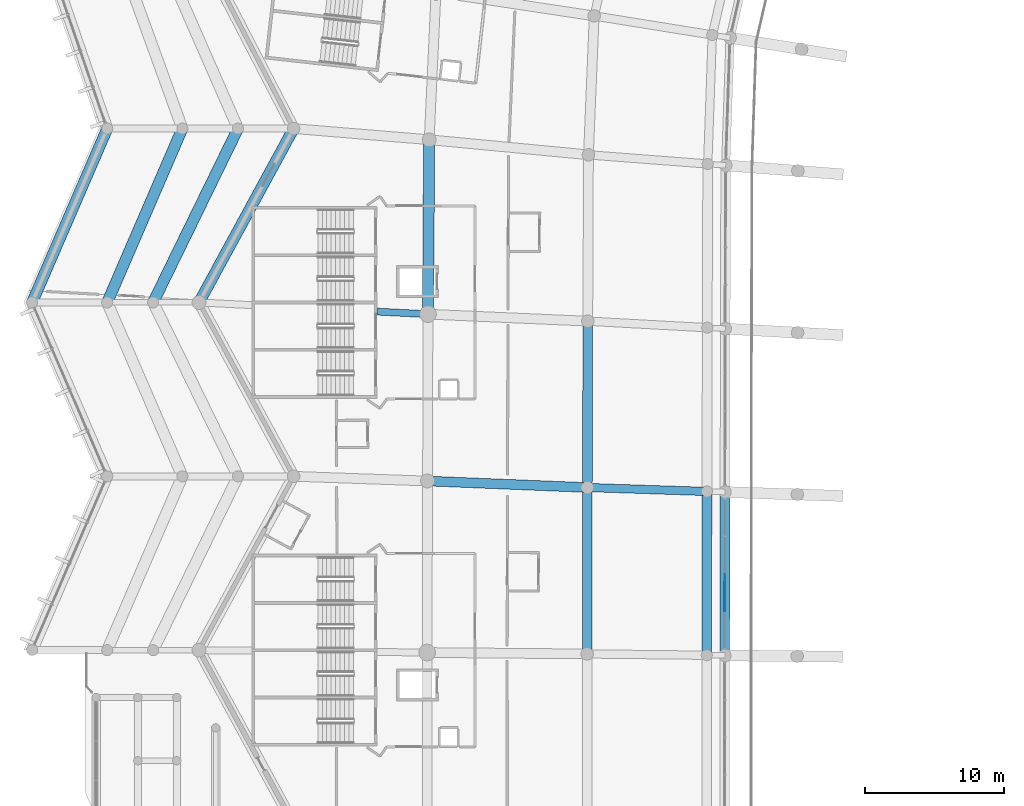
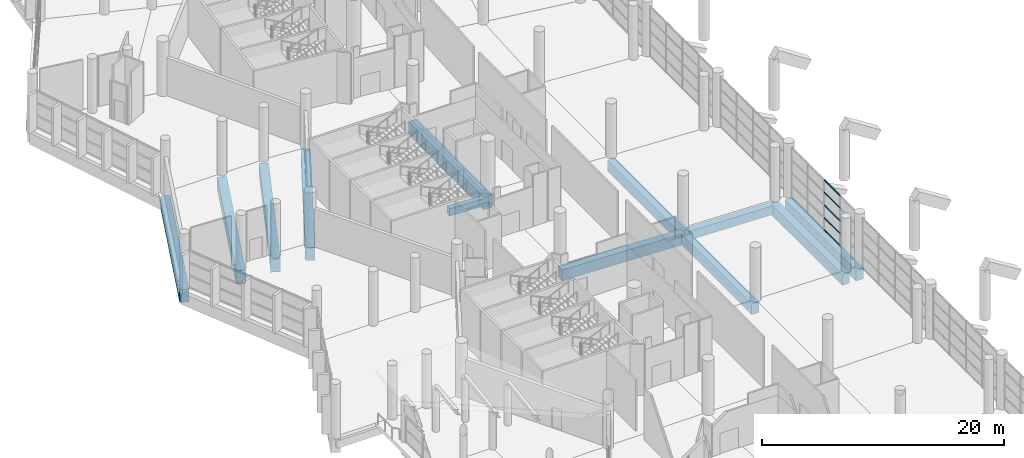
# One storey, part 68 of 271: 12 beams, 5 members, 1 element without a shape of its own.
"""IFC4 building model written with IfcOpenShell, lengths in metres."""

from ifc_helpers import new_model, si_unit, direction, frame, origin, origin_2d, place, context, subcontext, project, spatial, rectangle, extrude, material, layer, layer_set, material_profile, profile_set, type_object, element, aggregate, save


model = new_model("IFC4")

# Units and contexts
model_context = context("Model", 3, precision=1e-05, world=origin(), true_north=direction((0.0, 1.0)))
body_context = subcontext(model_context, "Body", "Model", "MODEL_VIEW")
ifc_project = project(units=[si_unit("LENGTHUNIT", "METRE"), si_unit("AREAUNIT", "SQUARE_METRE"), si_unit("VOLUMEUNIT", "CUBIC_METRE"), si_unit("PLANEANGLEUNIT", "RADIAN"), si_unit("MASSUNIT", "GRAM", prefix="KILO")], contexts=[model_context])

# Site, building, storey
site_placement = place(None, origin())
site = spatial("IfcSite", under=ifc_project, at=site_placement, CompositionType="ELEMENT")
building_placement = place(site_placement, origin())
building = spatial("IfcBuilding", under=site, at=building_placement, Name="Meseta Stadium", CompositionType="ELEMENT")
storey_placement = place(building_placement, frame((0.0, 0.0, 6.5)))
storey = spatial("IfcBuildingStorey", under=building, at=storey_placement, Name="L01", CompositionType="ELEMENT", Elevation=6.5)

# Curtain wall, members
ifc_material_1 = material(Name="Aluminium", Category="aluminium")
ifc_layer = layer(ifc_material_1, 0.199951171875)
ifc_layer_set = layer_set([ifc_layer], Name="Club glazing curtain wall")
curtain_wall_type = type_object("IfcCurtainWallType", Name="Club glazing curtain wall", PredefinedType="NOTDEFINED", material=ifc_layer_set)
curtain_wall_placement = place(storey_placement, origin())
curtain_wall = element("IfcCurtainWall", 1, at=curtain_wall_placement, inside=storey, type_object=curtain_wall_type, Name="Club glazing bay 31", PredefinedType="NOTDEFINED")
ifc_material_2 = material(Name="Aluminium", Category="aluminium")
ifc_material_profile_1 = material_profile(ifc_material_2, rectangle(XDim=0.06005859375, YDim=0.1201171875, at=origin_2d()), Name="CW 60x120")
ifc_profile_set_1 = profile_set([ifc_material_profile_1], Name="Aluminium")
member_type = type_object("IfcMemberType", Name="CW transom 60x120", PredefinedType="USERDEFINED", material=ifc_profile_set_1)
member_1_placement = place(storey_placement, frame((-63.59326171875, 11.70068359375, 0.06005859375), z_axis=(-0.000923445908, -0.999999573624, 0.0), x_axis=(0.999999573624, -0.000923445908, 0.0)))
member_1 = element("IfcMember", 2, at=member_1_placement, type_object=member_type, Name="CWC transom 3.1", ObjectType="TRANSOM", PredefinedType="USERDEFINED", context=body_context, shape_type="SweptSolid", body=[
    extrude(rectangle(XDim=0.06005859375, YDim=0.1201171875, at=origin_2d()), origin(), (0.0, 0.0, 1.0), 2.643798828125),
])
member_2_placement = place(storey_placement, frame((-63.59326171875, 11.70068359375, 1.28759765625), z_axis=(-0.000923445908, -0.999999573624, 0.0), x_axis=(0.999999573624, -0.000923445908, 0.0)))
member_2 = element("IfcMember", 3, at=member_2_placement, type_object=member_type, Name="CWC transom 3.2", ObjectType="TRANSOM", PredefinedType="USERDEFINED", context=body_context, shape_type="SweptSolid", body=[
    extrude(rectangle(XDim=0.06005859375, YDim=0.1201171875, at=origin_2d()), origin(), (0.0, 0.0, 1.0), 2.643798828125),
])
member_3_placement = place(storey_placement, frame((-63.59326171875, 11.70068359375, 2.574951171875), z_axis=(-0.000923445908, -0.999999573624, 0.0), x_axis=(0.999999573624, -0.000923445908, 0.0)))
member_3 = element("IfcMember", 4, at=member_3_placement, type_object=member_type, Name="CWC transom 3.3", ObjectType="TRANSOM", PredefinedType="USERDEFINED", context=body_context, shape_type="SweptSolid", body=[
    extrude(rectangle(XDim=0.06005859375, YDim=0.1201171875, at=origin_2d()), origin(), (0.0, 0.0, 1.0), 2.643798828125),
])
member_4_placement = place(storey_placement, frame((-63.59326171875, 11.70068359375, 3.862548828125), z_axis=(-0.000923445908, -0.999999573624, 0.0), x_axis=(0.999999573624, -0.000923445908, 0.0)))
member_4 = element("IfcMember", 5, at=member_4_placement, type_object=member_type, Name="CWC transom 3.4", ObjectType="TRANSOM", PredefinedType="USERDEFINED", context=body_context, shape_type="SweptSolid", body=[
    extrude(rectangle(XDim=0.06005859375, YDim=0.1201171875, at=origin_2d()), origin(), (0.0, 0.0, 1.0), 2.643798828125),
])
member_5_placement = place(storey_placement, frame((-63.59326171875, 11.70068359375, 5.090087890625), z_axis=(-0.000923445908, -0.999999573624, 0.0), x_axis=(0.999999573624, -0.000923445908, 0.0)))
member_5 = element("IfcMember", 6, at=member_5_placement, type_object=member_type, Name="CWC transom 3.5", ObjectType="TRANSOM", PredefinedType="USERDEFINED", context=body_context, shape_type="SweptSolid", body=[
    extrude(rectangle(XDim=0.06005859375, YDim=0.1201171875, at=origin_2d()), origin(), (0.0, 0.0, 1.0), 2.643798828125),
])
aggregate(curtain_wall, [member_1, member_2, member_3, member_4, member_5])

# Beams
ifc_material_3 = material(Name="Concrete C40/50", Category="concrete")
ifc_material_profile_2 = material_profile(ifc_material_3, rectangle(XDim=0.5, YDim=0.75, at=origin_2d()), Name="RC 500x750")
ifc_profile_set_2 = profile_set([ifc_material_profile_2], Name="Concrete C40/50")
beam_type_1 = type_object("IfcBeamType", Name="RC beam 500x750", PredefinedType="BEAM", material=ifc_profile_set_2)
beam_1_placement = place(storey_placement, frame((-84.940673828125, 30.404052734375, -0.72509765625), z_axis=(-0.998683115753, 0.051303355736, 0.0), x_axis=(-0.051303355736, -0.998683115753, 0.0)))
element("IfcBeam", 7, at=beam_1_placement, inside=storey, type_object=beam_type_1, Name="L01 radial beam frame 30 line P to R", PredefinedType="BEAM", context=body_context, shape_type="SweptSolid", body=[
    extrude(rectangle(XDim=0.5, YDim=0.75, at=origin_2d()), origin(), (0.0, 0.0, 1.0), 3.664306640625),
])
ifc_material_4 = material(Name="Concrete C40/50", Category="concrete")
ifc_material_profile_3 = material_profile(ifc_material_4, rectangle(XDim=0.60009765625, YDim=0.89990234375, at=origin_2d()), Name="RC 600x900")
ifc_profile_set_3 = profile_set([ifc_material_profile_3], Name="Concrete C40/50")
beam_type_2 = type_object("IfcBeamType", Name="RC beam 600x900", PredefinedType="BEAM", material=ifc_profile_set_3)
beam_2_placement = place(storey_placement, frame((-64.88720703125, 17.660888671875, -0.800048828125), z_axis=(-0.999459492737, 0.032874342231, 0.0), x_axis=(-0.032874342231, -0.999459492737, 0.0)))
element("IfcBeam", 8, at=beam_2_placement, inside=storey, type_object=beam_type_2, Name="L01 radial beam frame 31 line D to E", PredefinedType="BEAM", context=body_context, shape_type="SweptSolid", body=[
    extrude(rectangle(XDim=0.60009765625, YDim=0.89990234375, at=origin_2d()), origin(), (0.0, 0.0, 1.0), 8.599853515625),
])
ifc_material_5 = material(Name="Concrete C40/50", Category="concrete")
ifc_material_profile_4 = material_profile(ifc_material_5, rectangle(XDim=0.699951171875, YDim=1.10009765625, at=origin_2d()), Name="RC 700x1100")
ifc_profile_set_4 = profile_set([ifc_material_profile_4], Name="Concrete C40/50")
beam_type_3 = type_object("IfcBeamType", Name="RC beam 700x1100", PredefinedType="BEAM", material=ifc_profile_set_4)
beam_3_placement = place(storey_placement, frame((-73.451416015625, 29.904052734375, -0.89990234375), z_axis=(-0.002592357078, -0.999996639837, 0.0), x_axis=(0.999996639837, -0.002592357078, 0.0)))
element("IfcBeam", 9, at=beam_3_placement, inside=storey, type_object=beam_type_3, Name="L01 ring beam frame 30 line E", PredefinedType="BEAM", context=body_context, shape_type="SweptSolid", body=[
    extrude(rectangle(XDim=0.699951171875, YDim=1.10009765625, at=origin_2d()), origin(), (0.0, 0.0, 1.0), 11.96044921875),
])
beam_4_placement = place(storey_placement, frame((-63.587890625, 17.617919921875, -0.89990234375), z_axis=(-0.000914608414, -0.999999581746, 0.0), x_axis=(0.999999581746, -0.000914608414, 0.0)))
element("IfcBeam", 10, at=beam_4_placement, inside=storey, type_object=beam_type_3, Name="L01 ring beam frame 31 line C", PredefinedType="BEAM", context=body_context, shape_type="SweptSolid", body=[
    extrude(rectangle(XDim=0.699951171875, YDim=1.10009765625, at=origin_2d()), origin(), (0.0, 0.0, 1.0), 11.7451171875),
])
beam_5_placement = place(storey_placement, frame((-64.88720703125, 17.660888671875, -0.89990234375), z_axis=(-0.000974577566, -0.999999525099, 0.0), x_axis=(0.999999525099, -0.000974577566, 0.0)))
element("IfcBeam", 11, at=beam_5_placement, inside=storey, type_object=beam_type_3, Name="L01 ring beam frame 31 line D", PredefinedType="BEAM", context=body_context, shape_type="SweptSolid", body=[
    extrude(rectangle(XDim=0.699951171875, YDim=1.10009765625, at=origin_2d()), origin(), (0.0, 0.0, 1.0), 11.77392578125),
])
beam_6_placement = place(storey_placement, frame((-73.482421875, 17.943603515625, -0.89990234375), z_axis=(-0.001306174648, -0.999999146954, 0.0), x_axis=(0.999999146954, -0.001306174648, 0.0)))
element("IfcBeam", 12, at=beam_6_placement, inside=storey, type_object=beam_type_3, Name="L01 ring beam frame 31 line E", PredefinedType="BEAM", context=body_context, shape_type="SweptSolid", body=[
    extrude(rectangle(XDim=0.699951171875, YDim=1.10009765625, at=origin_2d()), origin(), (0.0, 0.0, 1.0), 11.96240234375),
])
beam_7_placement = place(storey_placement, frame((-73.482421875, 17.943603515625, -0.89990234375), z_axis=(-0.999175011921, 0.040611519947, 0.0), x_axis=(-0.040611519947, -0.999175011921, 0.0)))
element("IfcBeam", 13, at=beam_7_placement, inside=storey, type_object=beam_type_3, Name="L01 radial beam frame 31 line E to P", PredefinedType="BEAM", context=body_context, shape_type="SweptSolid", body=[
    extrude(rectangle(XDim=0.699951171875, YDim=1.10009765625, at=origin_2d()), origin(), (0.0, 0.0, 1.0), 11.500244140625),
])
ifc_material_6 = material(Name="Concrete C40/50", Category="concrete")
ifc_material_profile_5 = material_profile(ifc_material_6, rectangle(XDim=0.800048828125, YDim=1.300048828125, at=origin_2d()), Name="RC 800x1300")
ifc_profile_set_5 = profile_set([ifc_material_profile_5], Name="Concrete C40/50")
beam_type_4 = type_object("IfcBeamType", Name="RC beam 800x1300", PredefinedType="BEAM", material=ifc_profile_set_5)
beam_8_placement = place(storey_placement, frame((-84.85400390625, 42.948486328125, -1.0), z_axis=(-0.006908869398, -0.999976133477, 0.0), x_axis=(0.999976133477, -0.006908869398, 0.0)))
element("IfcBeam", 14, at=beam_8_placement, inside=storey, type_object=beam_type_4, Name="L01 ring beam frame 29 line P", PredefinedType="BEAM", context=body_context, shape_type="SweptSolid", body=[
    extrude(rectangle(XDim=0.800048828125, YDim=1.300048828125, at=origin_2d()), origin(), (0.0, 0.0, 1.0), 12.544677734375),
])
beam_9_placement = place(storey_placement, frame((-94.60009765625, 43.75, -1.0), z_axis=(-0.47785649891, -0.878437912689, 0.0), x_axis=(0.878437912689, -0.47785649891, 0.0)))
element("IfcBeam", 15, at=beam_9_placement, inside=storey, type_object=beam_type_4, Name="L01 ring beam frame 29 line R", PredefinedType="BEAM", context=body_context, shape_type="SweptSolid", body=[
    extrude(rectangle(XDim=0.800048828125, YDim=1.300048828125, at=origin_2d()), origin(), (0.0, 0.0, 1.0), 14.229736328125),
])
beam_10_placement = place(storey_placement, frame((-98.60009765625, 43.75, -1.0), z_axis=(-0.438556770405, -0.898703487882, 0.0), x_axis=(0.898703487882, -0.438556770405, 0.0)))
element("IfcBeam", 16, at=beam_10_placement, inside=storey, type_object=beam_type_4, Name="L01 ring beam frame 29 line M", PredefinedType="BEAM", context=body_context, shape_type="SweptSolid", body=[
    extrude(rectangle(XDim=0.800048828125, YDim=1.300048828125, at=origin_2d()), origin(), (0.0, 0.0, 1.0), 13.908935546875),
])
for number, where, z_axis, x_axis, name in (
    (17, (-102.60009765625, 43.75, -1.0), (-0.396570645327, -0.918004206562, 0.0), (0.918004206562, -0.396570645327, 0.0), "L01 ring beam frame 29 line Q"),
    (18, (-108.0, 43.75, -1.0), (-0.396570645327, -0.918004206562, 0.0), (0.918004206562, -0.396570645327, 0.0), "L01 ring beam frame 29 line O"),
):
    element("IfcBeam", number, at=place(storey_placement, frame(where, z_axis=z_axis, x_axis=x_axis)), inside=storey, type_object=beam_type_4, Name=name, PredefinedType="BEAM", context=body_context, shape_type="SweptSolid", body=[
        extrude(rectangle(XDim=0.800048828125, YDim=1.300048828125, at=origin_2d()), origin(), (0.0, 0.0, 1.0), 13.616455078125),
    ])

save(model, "model.ifc")
